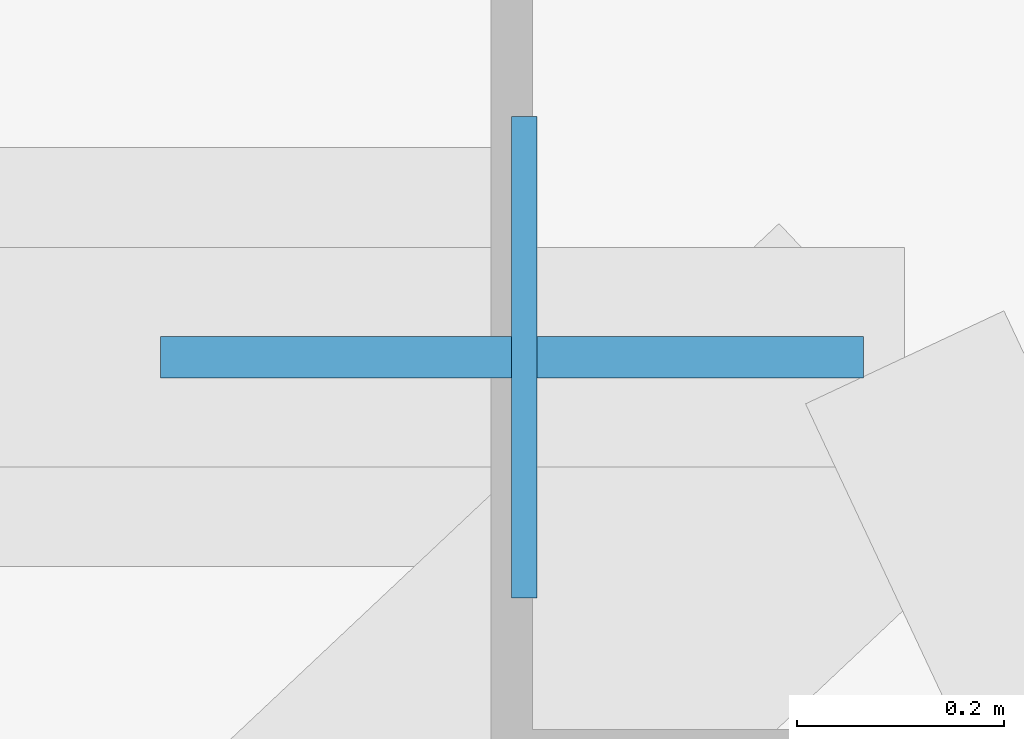
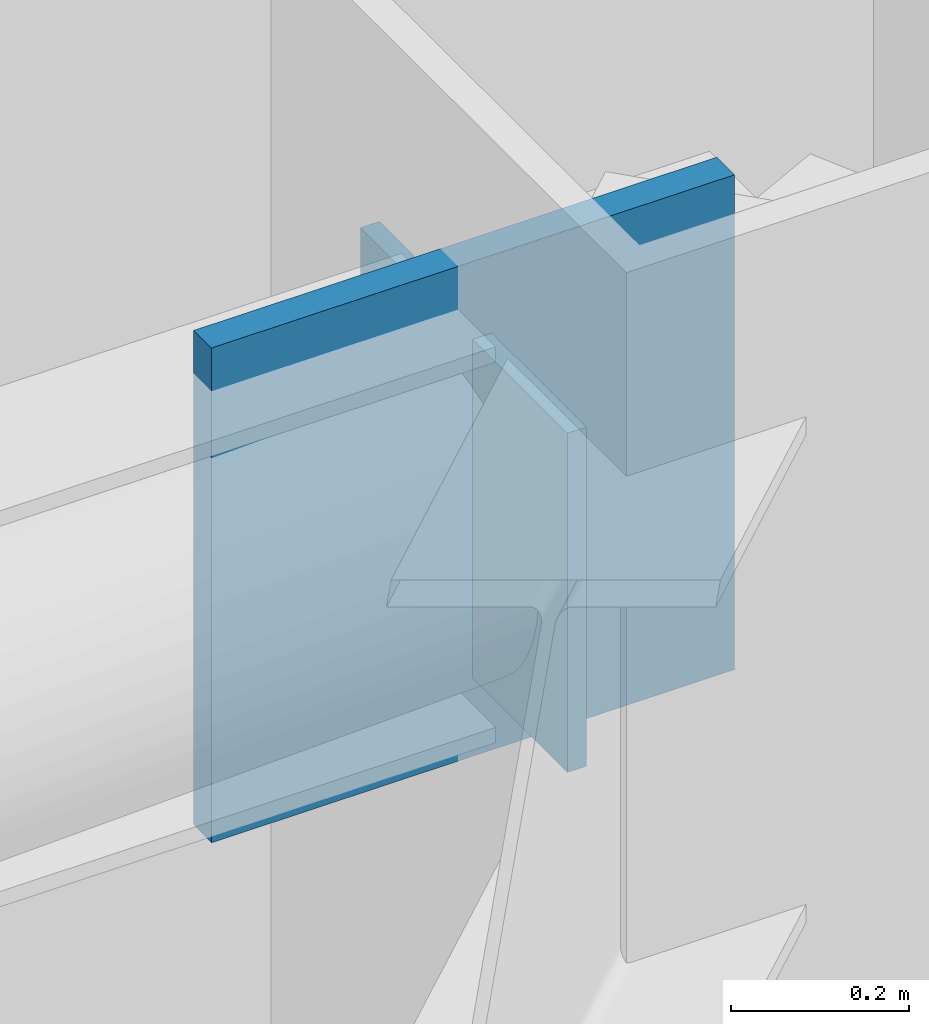
# One storey, part 11 of 20: 2 plates.
"""IFC4 building model written with IfcOpenShell, lengths in metres."""

import ifcopenshell
import ifcopenshell.guid

model = None  # the IFC model being written
_history = None  # IfcOwnerHistory: only IFC2X3 demands one
_inside = {}  # id of a spatial element -> (the spatial element, [elements in it])
_under = {}  # id of a project, library or spatial element -> (it, [spatial elements below it])
_declared = {}  # id of a project -> (the project, [libraries it declares])
_typed = {}  # id of a type object -> (the type object, [elements of that type])
_made_of = {}  # id of a material, layer set ... -> (it, [elements and type objects made of it])


def new_model(schema):
    """Start an empty IFC model of exactly this schema.

    Asked for "IFC4X3", IfcOpenShell would pick the latest addendum, in which some entities
    have other attributes; the version numbers below select the first issue.
    IFC2X3 requires an IfcOwnerHistory on every rooted entity: one is made here for all.
    """
    global model, _history
    if schema == "IFC4X3":
        model = ifcopenshell.file(schema_version=(4, 3, 0, 0))
    else:
        model = ifcopenshell.file(schema=schema)
    _inside.clear()
    _under.clear()
    _declared.clear()
    _typed.clear()
    _made_of.clear()
    _history = None
    if model.schema == "IFC2X3":
        org = make("IfcOrganization", Name="unknown")
        user = make(
            "IfcPersonAndOrganization",
            ThePerson=make("IfcPerson", FamilyName="unknown"),
            TheOrganization=org,
        )
        app = make(
            "IfcApplication",
            ApplicationDeveloper=org,
            Version="unknown",
            ApplicationFullName="unknown",
            ApplicationIdentifier="unknown",
        )
        _history = make(
            "IfcOwnerHistory",
            OwningUser=user,
            OwningApplication=app,
            ChangeAction="ADDED",
            CreationDate=0,
        )
    return model


def make(cls, **values):
    """One entity of the class cls with the attributes given. An attribute that is None is left unset."""
    return model.create_entity(
        cls, **{name: value for name, value in values.items() if value is not None}
    )


def rooted(cls, **values):
    """An entity with a GlobalId (a new one), such as an element, a storey or a relation."""
    return make(cls, GlobalId=ifcopenshell.guid.new(), OwnerHistory=_history, **values)


def si_unit(unit_type, name, prefix=None):
    """IfcSIUnit, for example si_unit("LENGTHUNIT", "METRE", prefix="MILLI")."""
    return make("IfcSIUnit", UnitType=unit_type, Prefix=prefix, Name=name)


def assignment(units):
    """IfcUnitAssignment: the units of a project."""
    return None if units is None else make("IfcUnitAssignment", Units=units)


def point(xyz):
    """IfcCartesianPoint."""
    return None if xyz is None else make("IfcCartesianPoint", Coordinates=xyz)


def direction(xyz):
    """IfcDirection."""
    return None if xyz is None else make("IfcDirection", DirectionRatios=xyz)


def frame(location, z_axis=None, x_axis=None):
    """IfcAxis2Placement3D, a coordinate frame: its origin and axes. An axis left out is left unset."""
    return make(
        "IfcAxis2Placement3D",
        Location=point(location),
        Axis=direction(z_axis),
        RefDirection=direction(x_axis),
    )


def frame_2d(location, x_axis=None):
    """IfcAxis2Placement2D, a coordinate frame in the plane: its origin and x axis."""
    return make(
        "IfcAxis2Placement2D", Location=point(location), RefDirection=direction(x_axis)
    )


def origin():
    """The frame at (0, 0, 0) with its axes left unset."""
    return frame((0.0, 0.0, 0.0))


def origin_2d():
    """The frame at (0, 0) in the plane with its x axis left unset."""
    return frame_2d((0.0, 0.0))


def place(relative_to, where):
    """IfcLocalPlacement: puts the frame where relative to a parent placement (None: the world)."""
    return make(
        "IfcLocalPlacement", PlacementRelTo=relative_to, RelativePlacement=where
    )


def context(
    kind, dimensions, precision=None, world=None, true_north=None, identifier=None
):
    """IfcGeometricRepresentationContext, for example the 3D "Model" context."""
    return make(
        "IfcGeometricRepresentationContext",
        ContextIdentifier=identifier,
        ContextType=kind,
        CoordinateSpaceDimension=dimensions,
        Precision=precision,
        WorldCoordinateSystem=world,
        TrueNorth=true_north,
    )


def subcontext(parent, identifier, kind, view, scale=None):
    """IfcGeometricRepresentationSubContext, for example "Body" below "Model"."""
    return make(
        "IfcGeometricRepresentationSubContext",
        ContextIdentifier=identifier,
        ContextType=kind,
        ParentContext=parent,
        TargetScale=scale,
        TargetView=view,
    )


def project(units=None, contexts=None):
    """IfcProject with its units and contexts."""
    return rooted(
        "IfcProject",
        Name="project",
        RepresentationContexts=contexts,
        UnitsInContext=assignment(units),
    )


def spatial(cls, under=None, at=None, **own):
    """A site, building, storey or space (cls), placed at a placement, below another one or the project."""
    s = rooted(cls, ObjectPlacement=at, **own)
    if under is not None:
        _under.setdefault(under.id(), (under, []))[1].append(s)
    return s


def profile(cls, at=None, kind="AREA", **sizes):
    """A parametric profile (cls). Its sizes go by their IFC names, for example OverallWidth=200.0."""
    return make(cls, ProfileType=kind, Position=at, **sizes)


def rectangle(**sizes):
    """IfcRectangleProfileDef."""
    return profile("IfcRectangleProfileDef", **sizes)


def extrude(swept, where, along, depth):
    """IfcExtrudedAreaSolid: the profile swept, set in the frame where, extruded along a direction by depth."""
    return make(
        "IfcExtrudedAreaSolid",
        SweptArea=swept,
        Position=where,
        ExtrudedDirection=direction(along),
        Depth=depth,
    )


def shape(context_of_items, identifier, shape_type, items):
    """IfcShapeRepresentation: the items that make up one representation, for example the "Body"."""
    return make(
        "IfcShapeRepresentation",
        ContextOfItems=context_of_items,
        RepresentationIdentifier=identifier,
        RepresentationType=shape_type,
        Items=items,
    )


def material(Name=None, Category=None):
    """IfcMaterial."""
    return make("IfcMaterial", Name=Name, Category=Category)


def layer(
    of_material, thickness, ventilated=None, Name=None, Category=None, Priority=None
):
    """IfcMaterialLayer: one layer of a wall or slab, of a material (None: an air gap)."""
    return make(
        "IfcMaterialLayer",
        Material=of_material,
        LayerThickness=thickness,
        IsVentilated=ventilated,
        Name=Name,
        Category=Category,
        Priority=Priority,
    )


def layer_set(layers, Name=None):
    """IfcMaterialLayerSet."""
    return make("IfcMaterialLayerSet", MaterialLayers=layers, LayerSetName=Name)


def made_of(thing, what):
    """Note that an element or type object is made of a material, layer set ...; save() writes the relation."""
    if what is not None:
        _made_of.setdefault(what.id(), (what, []))[1].append(thing)
    return thing


def type_object(cls, material=None, **own):
    """A type object (cls), such as IfcWallType, which elements share."""
    return made_of(rooted(cls, **own), material)


def element(
    cls,
    number,
    at=None,
    inside=None,
    cuts=None,
    type_object=None,
    material=None,
    context=None,
    identifier="Body",
    shape_type=None,
    held_by="IfcProductDefinitionShape",
    body=None,
    shapes=None,
    **own,
):
    """One element of the class cls, such as IfcWall. Its Tag is "e" and its number.

    at: its placement. inside: the storey or other place that contains it. cuts: it is an
    opening in that element (IfcRelVoidsElement). A single representation is given by context,
    identifier, shape_type and body (its items); several are given by shapes. held_by: the class
    of the entity that holds the representations. save() writes the other relations.
    """
    e = rooted(cls, Tag="e%d" % number, ObjectPlacement=at, **own)
    if body is not None:
        shapes = [shape(context, identifier, shape_type, body)]
    if shapes is not None:
        e.Representation = make(held_by, Representations=shapes)
    if inside is not None:
        _inside.setdefault(inside.id(), (inside, []))[1].append(e)
    if cuts is not None:
        rooted(
            "IfcRelVoidsElement", RelatingBuildingElement=cuts, RelatedOpeningElement=e
        )
    if type_object is not None:
        _typed.setdefault(type_object.id(), (type_object, []))[1].append(e)
    return made_of(e, material)


def aggregate(whole, parts):
    """IfcRelAggregates: a whole, such as a stair, and the parts it consists of."""
    return rooted("IfcRelAggregates", RelatingObject=whole, RelatedObjects=parts)


def save(model, path):
    """Write the relations noted so far, then the file.

    IfcRelAggregates (storeys below a building ...), IfcRelContainedInSpatialStructure (elements
    in a storey), IfcRelDefinesByType, IfcRelAssociatesMaterial and IfcRelDeclares: one each for
    every whole, place, type object, material and project.
    """
    for whole, parts in _under.values():
        aggregate(whole, parts)
    for where, things in _inside.values():
        rooted(
            "IfcRelContainedInSpatialStructure",
            RelatedElements=things,
            RelatingStructure=where,
        )
    for kind, things in _typed.values():
        rooted("IfcRelDefinesByType", RelatedObjects=things, RelatingType=kind)
    for what, things in _made_of.values():
        rooted("IfcRelAssociatesMaterial", RelatedObjects=things, RelatingMaterial=what)
    for by, libraries in _declared.values():
        rooted("IfcRelDeclares", RelatingContext=by, RelatedDefinitions=libraries)
    model.write(path)


model = new_model("IFC4")

# Units and contexts
model_context = context("Model", 3, precision=1e-05, world=origin(), true_north=direction((0.0, 1.0)))
body_context = subcontext(model_context, "Body", "Model", "MODEL_VIEW")
ifc_project = project(units=[si_unit("LENGTHUNIT", "METRE"), si_unit("AREAUNIT", "SQUARE_METRE"), si_unit("VOLUMEUNIT", "CUBIC_METRE"), si_unit("PLANEANGLEUNIT", "RADIAN"), si_unit("MASSUNIT", "GRAM", prefix="KILO")], contexts=[model_context])

# Site, building, storey
site_placement = place(None, origin())
site = spatial("IfcSite", under=ifc_project, at=site_placement, CompositionType="ELEMENT")
building_placement = place(site_placement, origin())
building = spatial("IfcBuilding", under=site, at=building_placement, Name="Khamvora Tower", CompositionType="ELEMENT")
storey_placement = place(building_placement, frame((0.0, 0.0, 203.35009765625)))
storey = spatial("IfcBuildingStorey", under=building, at=storey_placement, Name="L52", CompositionType="ELEMENT", Elevation=203.35009765625)

# Plates
ifc_material_1 = material(Name="Steel S355", Category="steel")
ifc_layer_1 = layer(ifc_material_1, 0.02490234375)
ifc_layer_set_1 = layer_set([ifc_layer_1], Name="Steel S355")
plate_type_1 = type_object("IfcPlateType", Name="PL-CAP-25", PredefinedType="SHEET", material=ifc_layer_set_1)
plate_1_placement = place(storey_placement, frame((56.382080078125, 44.5, 2.85498046875), z_axis=(0.0, 0.0, 1.0), x_axis=(1.0, 0.0, 0.0)))
element("IfcPlate", 1, at=plate_1_placement, inside=storey, type_object=plate_type_1, Name="L52 hollow section steel end cap plate 0991", PredefinedType="SHEET", context=body_context, shape_type="SweptSolid", body=[
    extrude(rectangle(XDim=0.02490234375, YDim=0.466064453125, at=origin_2d()), origin(), (0.0, 0.0, 1.0), 0.466064453125),
])
ifc_material_2 = material(Name="Steel S460", Category="steel")
ifc_layer_2 = layer(ifc_material_2, 0.0400390625)
ifc_layer_set_2 = layer_set([ifc_layer_2], Name="Steel S460")
plate_type_2 = type_object("IfcPlateType", Name="PLT-GUS-40", PredefinedType="SHEET", material=ifc_layer_set_2)
plate_2_placement = place(storey_placement, frame((56.3701171875, 44.5, 2.748046875), z_axis=(0.0, 0.0, 1.0), x_axis=(1.0, 0.0, 0.0)))
element("IfcPlate", 2, at=plate_2_placement, inside=storey, type_object=plate_type_2, Name="L52 brace connection node gusset plate 0328", PredefinedType="SHEET", context=body_context, shape_type="SweptSolid", body=[
    extrude(rectangle(XDim=0.679931640625, YDim=0.0400390625, at=origin_2d()), origin(), (0.0, 0.0, 1.0), 0.679931640625),
])

save(model, "model.ifc")
